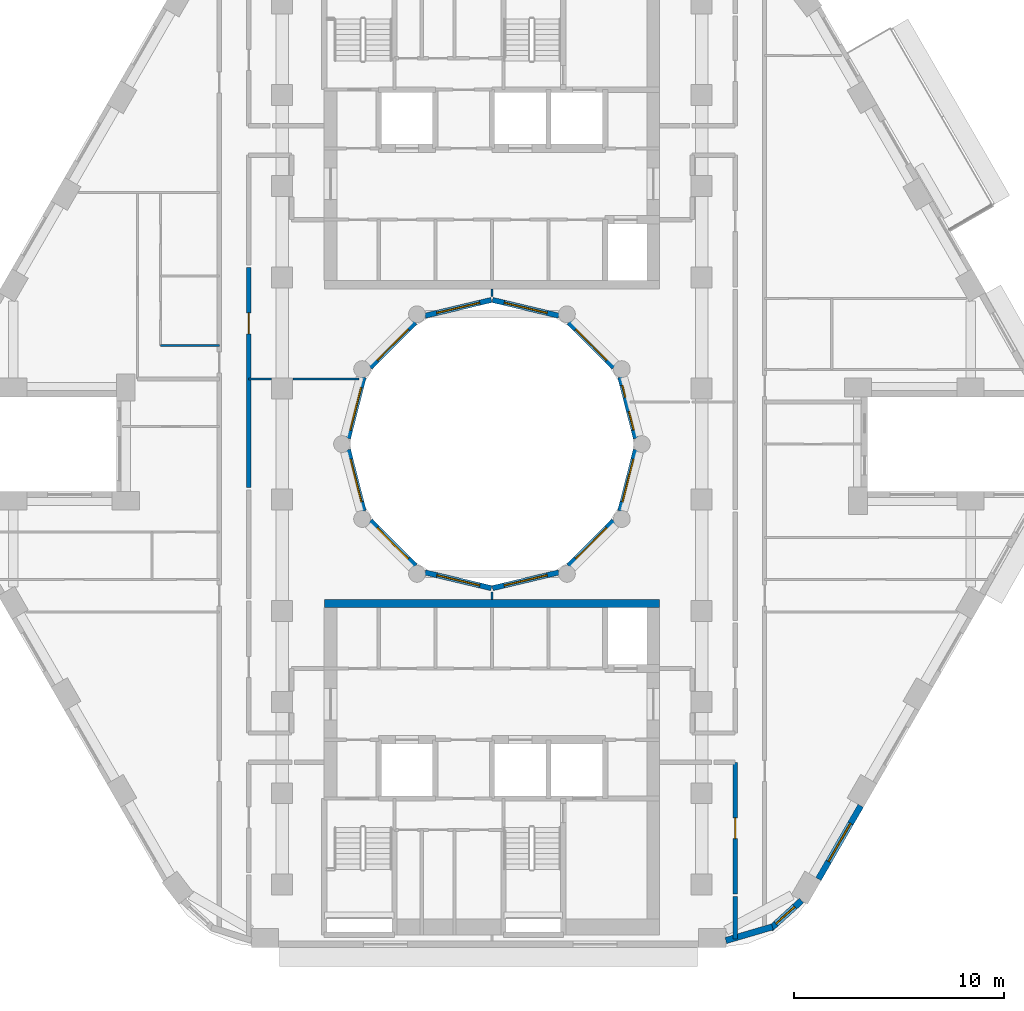
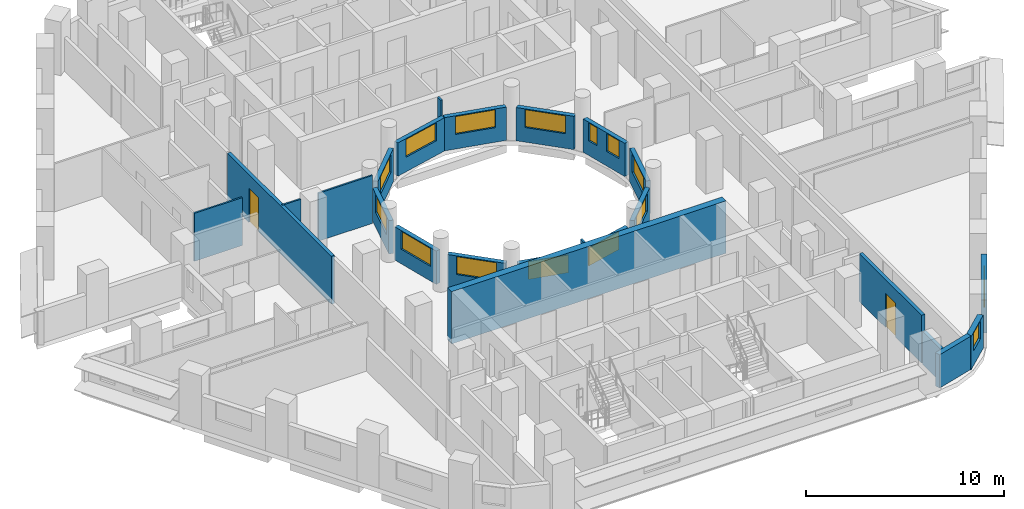
# One storey, part 5 of 14: 24 walls, 15 windows, 2 doors, 17 openings.
"""IFC4 building model written with IfcOpenShell, lengths in metres."""

from ifc_helpers import new_model, si_unit, direction, frame, frame_2d, origin, place, context, subcontext, project, spatial, rectangle, extrude, material, layer, layer_set, type_object, element, fill, save


model = new_model("IFC4")

# Units and contexts
model_context = context("Model", 3, precision=1e-05, world=origin(), true_north=direction((0.0, 1.0)))
body_context = subcontext(model_context, "Body", "Model", "MODEL_VIEW")
ifc_project = project(units=[si_unit("LENGTHUNIT", "METRE"), si_unit("AREAUNIT", "SQUARE_METRE"), si_unit("VOLUMEUNIT", "CUBIC_METRE"), si_unit("PLANEANGLEUNIT", "RADIAN"), si_unit("MASSUNIT", "GRAM", prefix="KILO")], contexts=[model_context])

# Site, building, storey
site_placement = place(None, origin())
site = spatial("IfcSite", under=ifc_project, at=site_placement, CompositionType="ELEMENT")
building_placement = place(site_placement, origin())
building = spatial("IfcBuilding", under=site, at=building_placement, Name="Nakaniwa Court", CompositionType="ELEMENT")
storey_placement = place(building_placement, frame((0.0, 0.0, 166.800048828125)))
storey = spatial("IfcBuildingStorey", under=building, at=storey_placement, Name="L44", CompositionType="ELEMENT", Elevation=166.800048828125)

# Wall
ifc_material_1 = material(Name="Acoustic double stud partition")
ifc_layer_1 = layer(ifc_material_1, 0.199951171875)
ifc_layer_set_1 = layer_set([ifc_layer_1], Name="Acoustic double stud partition")
wall_type_1 = type_object("IfcWallType", Name="Acoustic double stud partition 200", PredefinedType="PARTITIONING", material=ifc_layer_set_1)
wall_1_placement = place(storey_placement, frame((91.60009765625, 56.40087890625, 0.0), z_axis=(0.0, 0.0, 1.0), x_axis=(0.0, 1.0, 0.0)))
element("IfcWall", 1, at=wall_1_placement, inside=storey, type_object=wall_type_1, Name="Partition PW-073", PredefinedType="PARTITIONING", context=body_context, shape_type="SweptSolid", body=[
    extrude(rectangle(XDim=2.02197265625, YDim=0.199951171875, at=frame_2d((1.010986328125, 0.0))), origin(), (0.0, 0.0, 1.0), 2.030029296875),
])

# Wall, opening, door
wall_2_placement = place(storey_placement, frame((91.60009765625, 58.537109375, 0.0), z_axis=(0.0, 0.0, 1.0), x_axis=(0.0, 1.0, 0.0)))
wall_2 = element("IfcWall", 2, at=wall_2_placement, inside=storey, type_object=wall_type_1, Name="Partition PW-074", PredefinedType="PARTITIONING", context=body_context, shape_type="SweptSolid", body=[
    extrude(rectangle(XDim=6.287841796875, YDim=0.199951171875, at=frame_2d((3.14404296875, 0.0))), origin(), (0.0, 0.0, 1.0), 2.949951171875),
])
opening_1_placement = place(wall_2_placement, frame((2.64501953125, 0.0, 0.0)))
opening_1 = element("IfcOpeningElement", 3, at=opening_1_placement, cuts=wall_2, Name="Opening D-02-01", PredefinedType="OPENING", context=body_context, shape_type="SweptSolid", body=[
    extrude(rectangle(XDim=1.0, YDim=2.10009765625, at=frame_2d((0.5, 1.050048828125))), frame((0.0, 0.10986328125, 0.0), z_axis=(0.0, -1.0, 0.0), x_axis=(1.0, 0.0, 0.0)), (0.0, 0.0, 1.0), 0.219970703125),
])
ifc_material_2 = material(Name="Solid core timber door set, black veneer", Category="wood")
door_type = type_object("IfcDoorType", Name="Internal door 1000", OperationType="NOTDEFINED", PredefinedType="DOOR", material=ifc_material_2)
door_1_placement = place(opening_1_placement, origin())
door_1 = element("IfcDoor", 4, at=door_1_placement, inside=storey, type_object=door_type, Name="Door D-02-01 L44-029", OperationType="SINGLE_SWING_RIGHT", OverallHeight=2.10009765625, OverallWidth=1.0, PredefinedType="DOOR", context=body_context, shape_type="SweptSolid", body=[
    extrude(rectangle(XDim=1.0, YDim=2.10009765625, at=frame_2d((0.5, 1.050048828125))), frame((0.0, 0.02490234375, 0.0), z_axis=(0.0, -1.0, 0.0), x_axis=(1.0, 0.0, 0.0)), (0.0, 0.0, 1.0), 0.050048828125),
])
fill(opening_1, door_1)

wall_3_placement = place(storey_placement, frame((68.39990234375, 88.412841796875, 0.0), z_axis=(0.0, 0.0, 1.0), x_axis=(0.0, -1.0, 0.0)))
wall_3 = element("IfcWall", 5, at=wall_3_placement, inside=storey, type_object=wall_type_1, Name="Partition PW-106", PredefinedType="PARTITIONING", context=body_context, shape_type="SweptSolid", body=[
    extrude(rectangle(XDim=10.485595703125, YDim=0.199951171875, at=frame_2d((5.24267578125, 0.0))), origin(), (0.0, 0.0, 1.0), 2.949951171875),
])
opening_2_placement = place(wall_3_placement, frame((2.157958984375, 0.0, 0.0)))
opening_2 = element("IfcOpeningElement", 6, at=opening_2_placement, cuts=wall_3, Name="Opening D-02-05", PredefinedType="OPENING", context=body_context, shape_type="SweptSolid", body=[
    extrude(rectangle(XDim=1.0, YDim=2.10009765625, at=frame_2d((0.5, 1.050048828125))), frame((0.0, 0.10986328125, 0.0), z_axis=(0.0, -1.0, 0.0), x_axis=(1.0, 0.0, 0.0)), (0.0, 0.0, 1.0), 0.219970703125),
])
door_2_placement = place(opening_2_placement, origin())
door_2 = element("IfcDoor", 7, at=door_2_placement, inside=storey, type_object=door_type, Name="Door D-02-05 L44-053", OperationType="SINGLE_SWING_RIGHT", OverallHeight=2.10009765625, OverallWidth=1.0, PredefinedType="DOOR", context=body_context, shape_type="SweptSolid", body=[
    extrude(rectangle(XDim=1.0, YDim=2.10009765625, at=frame_2d((0.5, 1.050048828125))), frame((0.0, 0.02490234375, 0.0), z_axis=(0.0, -1.0, 0.0), x_axis=(1.0, 0.0, 0.0)), (0.0, 0.0, 1.0), 0.050048828125),
])
fill(opening_2, door_2)

# Wall
ifc_material_3 = material(Name="Charcoal ceramic cladding")
ifc_layer_2 = layer(ifc_material_3, 0.02, Name="Ceramic cladding")
ifc_material_4 = material(Name="Ventilated air cavity")
ifc_layer_3 = layer(ifc_material_4, 0.04, ventilated=True, Name="Ventilated cavity")
ifc_material_5 = material(Name="Mineral wool insulation")
ifc_layer_4 = layer(ifc_material_5, 0.1, Name="Insulation")
ifc_material_6 = material(Name="Cement bonded sheathing board")
ifc_layer_5 = layer(ifc_material_6, 0.012, Name="Sheathing")
ifc_material_7 = material(Name="Cold-formed galvanised stud frame with mineral wool infill")
ifc_layer_6 = layer(ifc_material_7, 0.1, Name="Stud frame")
ifc_material_8 = material(Name="Fire-rated gypsum plasterboard lining")
ifc_layer_7 = layer(ifc_material_8, 0.028, Name="Lining")
ifc_layer_set_2 = layer_set([ifc_layer_2, ifc_layer_3, ifc_layer_4, ifc_layer_5, ifc_layer_6, ifc_layer_7], Name="Charcoal ceramic faced external wall system")
wall_type_2 = type_object("IfcWallType", Name="Black ceramic faced external wall 300", PredefinedType="SOLIDWALL", material=ifc_layer_set_2)
wall_4_placement = place(storey_placement, frame((91.1533203125, 56.328125, 0.0), z_axis=(0.0, 0.0, 1.0), x_axis=(0.959473072336, 0.281800325517, 0.0)))
element("IfcWall", 8, at=wall_4_placement, inside=storey, type_object=wall_type_2, Name="L44 external wall 27", PredefinedType="SOLIDWALL", context=body_context, shape_type="SweptSolid", body=[
    extrude(rectangle(XDim=2.3115234375, YDim=0.300048828125, at=frame_2d((1.15576171875, 0.0))), origin(), (0.0, 0.0, 1.0), 2.050048828125),
])

# Wall, opening, window
wall_5_placement = place(storey_placement, frame((93.2783203125, 56.890380859375, 0.0), z_axis=(0.0, 0.0, 1.0), x_axis=(0.740652597499, 0.671888182526, 0.0)))
wall_5 = element("IfcWall", 9, at=wall_5_placement, inside=storey, type_object=wall_type_2, Name="L44 external wall 28", PredefinedType="SOLIDWALL", context=body_context, shape_type="SweptSolid", body=[
    extrude(rectangle(XDim=1.998779296875, YDim=0.300048828125, at=frame_2d((0.99951171875, 0.0))), origin(), (0.0, 0.0, 1.0), 2.050048828125),
])
opening_3_placement = place(wall_5_placement, frame((0.359619140625, 0.0, 0.89990234375)))
opening_3 = element("IfcOpeningElement", 10, at=opening_3_placement, cuts=wall_5, Name="Opening W6.25", PredefinedType="OPENING", context=body_context, shape_type="SweptSolid", body=[
    extrude(rectangle(XDim=1.199951171875, YDim=1.10009765625, at=frame_2d((0.60009765625, 0.550048828125))), frame((0.0, 0.159912109375, 0.0), z_axis=(0.0, -1.0, 0.0), x_axis=(1.0, 0.0, 0.0)), (0.0, 0.0, 1.0), 0.320068359375),
])
ifc_material_9 = material(Name="Black anodised aluminium frame with dark low-E laminated double glazing", Category="aluminium")
window_type_1 = type_object("IfcWindowType", Name="Dark glass window 1200x1100 sill 900", PartitioningType="SINGLE_PANEL", PredefinedType="WINDOW", material=ifc_material_9)
window_1_placement = place(opening_3_placement, origin())
window_1 = element("IfcWindow", 11, at=window_1_placement, inside=storey, type_object=window_type_1, Name="L44 habitable room window 28-0", OverallHeight=1.10009765625, OverallWidth=1.199951171875, PartitioningType="SINGLE_PANEL", PredefinedType="WINDOW", context=body_context, shape_type="SweptSolid", body=[
    extrude(rectangle(XDim=1.199951171875, YDim=1.10009765625, at=frame_2d((0.60009765625, 0.550048828125))), frame((0.0, 0.030029296875, 0.0), z_axis=(0.0, -1.0, 0.0), x_axis=(1.0, 0.0, 0.0)), (0.0, 0.0, 1.0), 0.06005859375),
])
fill(opening_3, window_1)

wall_6_placement = place(storey_placement, frame((95.565185546875, 59.260009765625, 0.0), z_axis=(0.0, 0.0, 1.0), x_axis=(0.500031546601, 0.86600718958, 0.0)))
wall_6 = element("IfcWall", 12, at=wall_6_placement, inside=storey, type_object=wall_type_2, Name="L44 external wall 29", PredefinedType="SOLIDWALL", context=body_context, shape_type="SweptSolid", body=[
    extrude(rectangle(XDim=4.033935546875, YDim=0.300048828125, at=frame_2d((2.01708984375, 0.0))), origin(), (0.0, 0.0, 1.0), 2.050048828125),
])
opening_4_placement = place(wall_6_placement, frame((0.967041015625, 0.0, 0.89990234375)))
opening_4 = element("IfcOpeningElement", 13, at=opening_4_placement, cuts=wall_6, Name="Opening W7.26", PredefinedType="OPENING", context=body_context, shape_type="SweptSolid", body=[
    extrude(rectangle(XDim=2.10009765625, YDim=1.10009765625, at=frame_2d((1.050048828125, 0.550048828125))), frame((0.0, 0.159912109375, 0.0), z_axis=(0.0, -1.0, 0.0), x_axis=(1.0, 0.0, 0.0)), (0.0, 0.0, 1.0), 0.320068359375),
])
window_type_2 = type_object("IfcWindowType", Name="Dark glass window 2100x1100 sill 900", PartitioningType="SINGLE_PANEL", PredefinedType="WINDOW", material=ifc_material_9)
window_2_placement = place(opening_4_placement, origin())
window_2 = element("IfcWindow", 14, at=window_2_placement, inside=storey, type_object=window_type_2, Name="L44 habitable room window 29-0", OverallHeight=1.10009765625, OverallWidth=2.10009765625, PartitioningType="SINGLE_PANEL", PredefinedType="WINDOW", context=body_context, shape_type="SweptSolid", body=[
    extrude(rectangle(XDim=2.10009765625, YDim=1.10009765625, at=frame_2d((1.050048828125, 0.550048828125))), frame((0.0, 0.030029296875, 0.0), z_axis=(0.0, -1.0, 0.0), x_axis=(1.0, 0.0, 0.0)), (0.0, 0.0, 1.0), 0.06005859375),
])
fill(opening_4, window_2)

ifc_layer_8 = layer(ifc_material_3, 0.02, Name="Ceramic cladding")
ifc_layer_9 = layer(ifc_material_4, 0.04, ventilated=True, Name="Ventilated cavity")
ifc_layer_10 = layer(ifc_material_5, 0.075, Name="Insulation")
ifc_layer_11 = layer(ifc_material_6, 0.012, Name="Sheathing")
ifc_layer_12 = layer(ifc_material_7, 0.075, Name="Stud frame")
ifc_layer_13 = layer(ifc_material_8, 0.028, Name="Lining")
ifc_layer_set_3 = layer_set([ifc_layer_8, ifc_layer_9, ifc_layer_10, ifc_layer_11, ifc_layer_12, ifc_layer_13], Name="Charcoal ceramic faced external wall system")
wall_type_3 = type_object("IfcWallType", Name="Charcoal ceramic faced well wall 250", PredefinedType="SOLIDWALL", material=ifc_layer_set_3)
wall_7_placement = place(storey_placement, frame((86.8603515625, 79.72998046875, 0.0), z_axis=(0.0, 0.0, 1.0), x_axis=(-0.247055971283, -0.969001211069, 0.0)))
wall_7 = element("IfcWall", 15, at=wall_7_placement, inside=storey, type_object=wall_type_3, Name="L44 external wall 36", PredefinedType="SOLIDWALL", context=body_context, shape_type="SweptSolid", body=[
    extrude(rectangle(XDim=3.010009765625, YDim=0.25, at=frame_2d((1.5048828125, 0.0))), origin(), (0.0, 0.0, 1.0), 2.050048828125),
])
opening_5_placement = place(wall_7_placement, frame((0.46875, 0.0, 0.89990234375)))
opening_5 = element("IfcOpeningElement", 16, at=opening_5_placement, cuts=wall_7, Name="Opening W7.35", PredefinedType="OPENING", context=body_context, shape_type="SweptSolid", body=[
    extrude(rectangle(XDim=2.10009765625, YDim=1.10009765625, at=frame_2d((1.050048828125, 0.550048828125))), frame((0.0, 0.135009765625, 0.0), z_axis=(0.0, -1.0, 0.0), x_axis=(1.0, 0.0, 0.0)), (0.0, 0.0, 1.0), 0.27001953125),
])
window_3_placement = place(opening_5_placement, origin())
window_3 = element("IfcWindow", 17, at=window_3_placement, inside=storey, type_object=window_type_2, Name="L44 habitable room window 36-0", OverallHeight=1.10009765625, OverallWidth=2.10009765625, PartitioningType="SINGLE_PANEL", PredefinedType="WINDOW", context=body_context, shape_type="SweptSolid", body=[
    extrude(rectangle(XDim=2.10009765625, YDim=1.10009765625, at=frame_2d((1.050048828125, 0.550048828125))), frame((0.0, 0.030029296875, 0.0), z_axis=(0.0, -1.0, 0.0), x_axis=(1.0, 0.0, 0.0)), (0.0, 0.0, 1.0), 0.06005859375),
])
fill(opening_5, window_3)

wall_8_placement = place(storey_placement, frame((85.8056640625, 76.339111328125, 0.0), z_axis=(0.0, 0.0, 1.0), x_axis=(-0.707106781187, -0.707106781187, 0.0)))
wall_8 = element("IfcWall", 18, at=wall_8_placement, inside=storey, type_object=wall_type_3, Name="L44 external wall 37", PredefinedType="SOLIDWALL", context=body_context, shape_type="SweptSolid", body=[
    extrude(rectangle(XDim=3.033203125, YDim=0.25, at=frame_2d((1.5166015625, 0.0))), origin(), (0.0, 0.0, 1.0), 2.050048828125),
])
opening_6_placement = place(wall_8_placement, frame((0.466552734375, 0.0, 0.89990234375)))
opening_6 = element("IfcOpeningElement", 19, at=opening_6_placement, cuts=wall_8, Name="Opening W7.36", PredefinedType="OPENING", context=body_context, shape_type="SweptSolid", body=[
    extrude(rectangle(XDim=2.10009765625, YDim=1.10009765625, at=frame_2d((1.050048828125, 0.550048828125))), frame((0.0, 0.135009765625, 0.0), z_axis=(0.0, -1.0, 0.0), x_axis=(1.0, 0.0, 0.0)), (0.0, 0.0, 1.0), 0.27001953125),
])
window_4_placement = place(opening_6_placement, origin())
window_4 = element("IfcWindow", 20, at=window_4_placement, inside=storey, type_object=window_type_2, Name="L44 habitable room window 37-0", OverallHeight=1.10009765625, OverallWidth=2.10009765625, PartitioningType="SINGLE_PANEL", PredefinedType="WINDOW", context=body_context, shape_type="SweptSolid", body=[
    extrude(rectangle(XDim=2.10009765625, YDim=1.10009765625, at=frame_2d((1.050048828125, 0.550048828125))), frame((0.0, 0.030029296875, 0.0), z_axis=(0.0, -1.0, 0.0), x_axis=(1.0, 0.0, 0.0)), (0.0, 0.0, 1.0), 0.06005859375),
])
fill(opening_6, window_4)

wall_9_placement = place(storey_placement, frame((83.186279296875, 73.880615234375, 0.0), z_axis=(0.0, 0.0, 1.0), x_axis=(-0.972773113459, -0.231759508395, 0.0)))
wall_9 = element("IfcWall", 21, at=wall_9_placement, inside=storey, type_object=wall_type_3, Name="L44 external wall 38", PredefinedType="SOLIDWALL", context=body_context, shape_type="SweptSolid", body=[
    extrude(rectangle(XDim=3.24560546875, YDim=0.25, at=frame_2d((1.622802734375, 0.0))), origin(), (0.0, 0.0, 1.0), 2.050048828125),
])
opening_7_placement = place(wall_9_placement, frame((0.57275390625, 0.0, 0.89990234375)))
opening_7 = element("IfcOpeningElement", 22, at=opening_7_placement, cuts=wall_9, Name="Opening W7.37", PredefinedType="OPENING", context=body_context, shape_type="SweptSolid", body=[
    extrude(rectangle(XDim=2.10009765625, YDim=1.10009765625, at=frame_2d((1.050048828125, 0.550048828125))), frame((0.0, 0.135009765625, 0.0), z_axis=(0.0, -1.0, 0.0), x_axis=(1.0, 0.0, 0.0)), (0.0, 0.0, 1.0), 0.27001953125),
])
window_5_placement = place(opening_7_placement, origin())
window_5 = element("IfcWindow", 23, at=window_5_placement, inside=storey, type_object=window_type_2, Name="L44 habitable room window 38-0", OverallHeight=1.10009765625, OverallWidth=2.10009765625, PartitioningType="SINGLE_PANEL", PredefinedType="WINDOW", context=body_context, shape_type="SweptSolid", body=[
    extrude(rectangle(XDim=2.10009765625, YDim=1.10009765625, at=frame_2d((1.050048828125, 0.550048828125))), frame((0.0, 0.030029296875, 0.0), z_axis=(0.0, -1.0, 0.0), x_axis=(1.0, 0.0, 0.0)), (0.0, 0.0, 1.0), 0.06005859375),
])
fill(opening_7, window_5)

wall_10_placement = place(storey_placement, frame((79.970947265625, 73.12841796875, 0.0), z_axis=(0.0, 0.0, 1.0), x_axis=(-0.972773113459, 0.231759508395, 0.0)))
wall_10 = element("IfcWall", 24, at=wall_10_placement, inside=storey, type_object=wall_type_3, Name="L44 external wall 39", PredefinedType="SOLIDWALL", context=body_context, shape_type="SweptSolid", body=[
    extrude(rectangle(XDim=3.24560546875, YDim=0.25, at=frame_2d((1.622802734375, 0.0))), origin(), (0.0, 0.0, 1.0), 2.050048828125),
])
opening_8_placement = place(wall_10_placement, frame((0.57275390625, 0.0, 0.89990234375)))
opening_8 = element("IfcOpeningElement", 25, at=opening_8_placement, cuts=wall_10, Name="Opening W7.38", PredefinedType="OPENING", context=body_context, shape_type="SweptSolid", body=[
    extrude(rectangle(XDim=2.10009765625, YDim=1.10009765625, at=frame_2d((1.050048828125, 0.550048828125))), frame((0.0, 0.135009765625, 0.0), z_axis=(0.0, -1.0, 0.0), x_axis=(1.0, 0.0, 0.0)), (0.0, 0.0, 1.0), 0.27001953125),
])
window_6_placement = place(opening_8_placement, origin())
window_6 = element("IfcWindow", 26, at=window_6_placement, inside=storey, type_object=window_type_2, Name="L44 habitable room window 39-0", OverallHeight=1.10009765625, OverallWidth=2.10009765625, PartitioningType="SINGLE_PANEL", PredefinedType="WINDOW", context=body_context, shape_type="SweptSolid", body=[
    extrude(rectangle(XDim=2.10009765625, YDim=1.10009765625, at=frame_2d((1.050048828125, 0.550048828125))), frame((0.0, 0.030029296875, 0.0), z_axis=(0.0, -1.0, 0.0), x_axis=(1.0, 0.0, 0.0)), (0.0, 0.0, 1.0), 0.06005859375),
])
fill(opening_8, window_6)

wall_11_placement = place(storey_placement, frame((76.339111328125, 74.1943359375, 0.0), z_axis=(0.0, 0.0, 1.0), x_axis=(-0.707106781187, 0.707106781187, 0.0)))
wall_11 = element("IfcWall", 27, at=wall_11_placement, inside=storey, type_object=wall_type_3, Name="L44 external wall 40", PredefinedType="SOLIDWALL", context=body_context, shape_type="SweptSolid", body=[
    extrude(rectangle(XDim=3.033203125, YDim=0.25, at=frame_2d((1.5166015625, 0.0))), origin(), (0.0, 0.0, 1.0), 2.050048828125),
])
opening_9_placement = place(wall_11_placement, frame((0.466552734375, 0.0, 0.89990234375)))
opening_9 = element("IfcOpeningElement", 28, at=opening_9_placement, cuts=wall_11, Name="Opening W7.39", PredefinedType="OPENING", context=body_context, shape_type="SweptSolid", body=[
    extrude(rectangle(XDim=2.10009765625, YDim=1.10009765625, at=frame_2d((1.050048828125, 0.550048828125))), frame((0.0, 0.135009765625, 0.0), z_axis=(0.0, -1.0, 0.0), x_axis=(1.0, 0.0, 0.0)), (0.0, 0.0, 1.0), 0.27001953125),
])
window_7_placement = place(opening_9_placement, origin())
window_7 = element("IfcWindow", 29, at=window_7_placement, inside=storey, type_object=window_type_2, Name="L44 habitable room window 40-0", OverallHeight=1.10009765625, OverallWidth=2.10009765625, PartitioningType="SINGLE_PANEL", PredefinedType="WINDOW", context=body_context, shape_type="SweptSolid", body=[
    extrude(rectangle(XDim=2.10009765625, YDim=1.10009765625, at=frame_2d((1.050048828125, 0.550048828125))), frame((0.0, 0.030029296875, 0.0), z_axis=(0.0, -1.0, 0.0), x_axis=(1.0, 0.0, 0.0)), (0.0, 0.0, 1.0), 0.06005859375),
])
fill(opening_9, window_7)

wall_12_placement = place(storey_placement, frame((73.88330078125, 76.813232421875, 0.0), z_axis=(0.0, 0.0, 1.0), x_axis=(-0.247055971283, 0.969001211069, 0.0)))
wall_12 = element("IfcWall", 30, at=wall_12_placement, inside=storey, type_object=wall_type_3, Name="L44 external wall 41", PredefinedType="SOLIDWALL", context=body_context, shape_type="SweptSolid", body=[
    extrude(rectangle(XDim=3.010009765625, YDim=0.25, at=frame_2d((1.5048828125, 0.0))), origin(), (0.0, 0.0, 1.0), 2.050048828125),
])
opening_10_placement = place(wall_12_placement, frame((0.441162109375, 0.0, 0.89990234375)))
opening_10 = element("IfcOpeningElement", 31, at=opening_10_placement, cuts=wall_12, Name="Opening W7.40", PredefinedType="OPENING", context=body_context, shape_type="SweptSolid", body=[
    extrude(rectangle(XDim=2.10009765625, YDim=1.10009765625, at=frame_2d((1.050048828125, 0.550048828125))), frame((0.0, 0.135009765625, 0.0), z_axis=(0.0, -1.0, 0.0), x_axis=(1.0, 0.0, 0.0)), (0.0, 0.0, 1.0), 0.27001953125),
])
window_8_placement = place(opening_10_placement, origin())
window_8 = element("IfcWindow", 32, at=window_8_placement, inside=storey, type_object=window_type_2, Name="L44 habitable room window 41-0", OverallHeight=1.10009765625, OverallWidth=2.10009765625, PartitioningType="SINGLE_PANEL", PredefinedType="WINDOW", context=body_context, shape_type="SweptSolid", body=[
    extrude(rectangle(XDim=2.10009765625, YDim=1.10009765625, at=frame_2d((1.050048828125, 0.550048828125))), frame((0.0, 0.030029296875, 0.0), z_axis=(0.0, -1.0, 0.0), x_axis=(1.0, 0.0, 0.0)), (0.0, 0.0, 1.0), 0.06005859375),
])
fill(opening_10, window_8)

wall_13_placement = place(storey_placement, frame((73.1396484375, 80.27001953125, 0.0), z_axis=(0.0, 0.0, 1.0), x_axis=(0.247055971283, 0.969001211069, 0.0)))
wall_13 = element("IfcWall", 33, at=wall_13_placement, inside=storey, type_object=wall_type_3, Name="L44 external wall 42", PredefinedType="SOLIDWALL", context=body_context, shape_type="SweptSolid", body=[
    extrude(rectangle(XDim=3.010009765625, YDim=0.25, at=frame_2d((1.5048828125, 0.0))), origin(), (0.0, 0.0, 1.0), 2.050048828125),
])
opening_11_placement = place(wall_13_placement, frame((0.400634765625, 0.0, 0.89990234375)))
opening_11 = element("IfcOpeningElement", 34, at=opening_11_placement, cuts=wall_13, Name="Opening W7.41", PredefinedType="OPENING", context=body_context, shape_type="SweptSolid", body=[
    extrude(rectangle(XDim=2.10009765625, YDim=1.10009765625, at=frame_2d((1.050048828125, 0.550048828125))), frame((0.0, 0.135009765625, 0.0), z_axis=(0.0, -1.0, 0.0), x_axis=(1.0, 0.0, 0.0)), (0.0, 0.0, 1.0), 0.27001953125),
])
window_9_placement = place(opening_11_placement, origin())
window_9 = element("IfcWindow", 35, at=window_9_placement, inside=storey, type_object=window_type_2, Name="L44 habitable room window 42-0", OverallHeight=1.10009765625, OverallWidth=2.10009765625, PartitioningType="SINGLE_PANEL", PredefinedType="WINDOW", context=body_context, shape_type="SweptSolid", body=[
    extrude(rectangle(XDim=2.10009765625, YDim=1.10009765625, at=frame_2d((1.050048828125, 0.550048828125))), frame((0.0, 0.030029296875, 0.0), z_axis=(0.0, -1.0, 0.0), x_axis=(1.0, 0.0, 0.0)), (0.0, 0.0, 1.0), 0.06005859375),
])
fill(opening_11, window_9)

wall_14_placement = place(storey_placement, frame((74.1943359375, 83.660888671875, 0.0), z_axis=(0.0, 0.0, 1.0), x_axis=(0.707106781187, 0.707106781187, 0.0)))
wall_14 = element("IfcWall", 36, at=wall_14_placement, inside=storey, type_object=wall_type_3, Name="L44 external wall 43", PredefinedType="SOLIDWALL", context=body_context, shape_type="SweptSolid", body=[
    extrude(rectangle(XDim=3.033203125, YDim=0.25, at=frame_2d((1.5166015625, 0.0))), origin(), (0.0, 0.0, 1.0), 2.050048828125),
])
opening_12_placement = place(wall_14_placement, frame((0.466552734375, 0.0, 0.89990234375)))
opening_12 = element("IfcOpeningElement", 37, at=opening_12_placement, cuts=wall_14, Name="Opening W7.42", PredefinedType="OPENING", context=body_context, shape_type="SweptSolid", body=[
    extrude(rectangle(XDim=2.10009765625, YDim=1.10009765625, at=frame_2d((1.050048828125, 0.550048828125))), frame((0.0, 0.135009765625, 0.0), z_axis=(0.0, -1.0, 0.0), x_axis=(1.0, 0.0, 0.0)), (0.0, 0.0, 1.0), 0.27001953125),
])
window_10_placement = place(opening_12_placement, origin())
window_10 = element("IfcWindow", 38, at=window_10_placement, inside=storey, type_object=window_type_2, Name="L44 habitable room window 43-0", OverallHeight=1.10009765625, OverallWidth=2.10009765625, PartitioningType="SINGLE_PANEL", PredefinedType="WINDOW", context=body_context, shape_type="SweptSolid", body=[
    extrude(rectangle(XDim=2.10009765625, YDim=1.10009765625, at=frame_2d((1.050048828125, 0.550048828125))), frame((0.0, 0.030029296875, 0.0), z_axis=(0.0, -1.0, 0.0), x_axis=(1.0, 0.0, 0.0)), (0.0, 0.0, 1.0), 0.06005859375),
])
fill(opening_12, window_10)

wall_15_placement = place(storey_placement, frame((76.813720703125, 86.119384765625, 0.0), z_axis=(0.0, 0.0, 1.0), x_axis=(0.972773113459, 0.231759508395, 0.0)))
wall_15 = element("IfcWall", 39, at=wall_15_placement, inside=storey, type_object=wall_type_3, Name="L44 external wall 44", PredefinedType="SOLIDWALL", context=body_context, shape_type="SweptSolid", body=[
    extrude(rectangle(XDim=3.24560546875, YDim=0.25, at=frame_2d((1.622802734375, 0.0))), origin(), (0.0, 0.0, 1.0), 2.050048828125),
])
opening_13_placement = place(wall_15_placement, frame((0.57275390625, 0.0, 0.89990234375)))
opening_13 = element("IfcOpeningElement", 40, at=opening_13_placement, cuts=wall_15, Name="Opening W7.43", PredefinedType="OPENING", context=body_context, shape_type="SweptSolid", body=[
    extrude(rectangle(XDim=2.10009765625, YDim=1.10009765625, at=frame_2d((1.050048828125, 0.550048828125))), frame((0.0, 0.135009765625, 0.0), z_axis=(0.0, -1.0, 0.0), x_axis=(1.0, 0.0, 0.0)), (0.0, 0.0, 1.0), 0.27001953125),
])
window_11_placement = place(opening_13_placement, origin())
window_11 = element("IfcWindow", 41, at=window_11_placement, inside=storey, type_object=window_type_2, Name="L44 habitable room window 44-0", OverallHeight=1.10009765625, OverallWidth=2.10009765625, PartitioningType="SINGLE_PANEL", PredefinedType="WINDOW", context=body_context, shape_type="SweptSolid", body=[
    extrude(rectangle(XDim=2.10009765625, YDim=1.10009765625, at=frame_2d((1.050048828125, 0.550048828125))), frame((0.0, 0.030029296875, 0.0), z_axis=(0.0, -1.0, 0.0), x_axis=(1.0, 0.0, 0.0)), (0.0, 0.0, 1.0), 0.06005859375),
])
fill(opening_13, window_11)

wall_16_placement = place(storey_placement, frame((80.029052734375, 86.87158203125, 0.0), z_axis=(0.0, 0.0, 1.0), x_axis=(0.972773113459, -0.231759508395, 0.0)))
wall_16 = element("IfcWall", 42, at=wall_16_placement, inside=storey, type_object=wall_type_3, Name="L44 external wall 45", PredefinedType="SOLIDWALL", context=body_context, shape_type="SweptSolid", body=[
    extrude(rectangle(XDim=3.24560546875, YDim=0.25, at=frame_2d((1.622802734375, 0.0))), origin(), (0.0, 0.0, 1.0), 2.050048828125),
])
opening_14_placement = place(wall_16_placement, frame((0.57275390625, 0.0, 0.89990234375)))
opening_14 = element("IfcOpeningElement", 43, at=opening_14_placement, cuts=wall_16, Name="Opening W7.44", PredefinedType="OPENING", context=body_context, shape_type="SweptSolid", body=[
    extrude(rectangle(XDim=2.10009765625, YDim=1.10009765625, at=frame_2d((1.050048828125, 0.550048828125))), frame((0.0, 0.135009765625, 0.0), z_axis=(0.0, -1.0, 0.0), x_axis=(1.0, 0.0, 0.0)), (0.0, 0.0, 1.0), 0.27001953125),
])
window_12_placement = place(opening_14_placement, origin())
window_12 = element("IfcWindow", 44, at=window_12_placement, inside=storey, type_object=window_type_2, Name="L44 habitable room window 45-0", OverallHeight=1.10009765625, OverallWidth=2.10009765625, PartitioningType="SINGLE_PANEL", PredefinedType="WINDOW", context=body_context, shape_type="SweptSolid", body=[
    extrude(rectangle(XDim=2.10009765625, YDim=1.10009765625, at=frame_2d((1.050048828125, 0.550048828125))), frame((0.0, 0.030029296875, 0.0), z_axis=(0.0, -1.0, 0.0), x_axis=(1.0, 0.0, 0.0)), (0.0, 0.0, 1.0), 0.06005859375),
])
fill(opening_14, window_12)

wall_17_placement = place(storey_placement, frame((83.660888671875, 85.8056640625, 0.0), z_axis=(0.0, 0.0, 1.0), x_axis=(0.707106781187, -0.707106781187, 0.0)))
wall_17 = element("IfcWall", 45, at=wall_17_placement, inside=storey, type_object=wall_type_3, Name="L44 external wall 46", PredefinedType="SOLIDWALL", context=body_context, shape_type="SweptSolid", body=[
    extrude(rectangle(XDim=3.033203125, YDim=0.25, at=frame_2d((1.5166015625, 0.0))), origin(), (0.0, 0.0, 1.0), 2.050048828125),
])
opening_15_placement = place(wall_17_placement, frame((0.466552734375, 0.0, 0.89990234375)))
opening_15 = element("IfcOpeningElement", 46, at=opening_15_placement, cuts=wall_17, Name="Opening W7.45", PredefinedType="OPENING", context=body_context, shape_type="SweptSolid", body=[
    extrude(rectangle(XDim=2.10009765625, YDim=1.10009765625, at=frame_2d((1.050048828125, 0.550048828125))), frame((0.0, 0.135009765625, 0.0), z_axis=(0.0, -1.0, 0.0), x_axis=(1.0, 0.0, 0.0)), (0.0, 0.0, 1.0), 0.27001953125),
])
window_13_placement = place(opening_15_placement, origin())
window_13 = element("IfcWindow", 47, at=window_13_placement, inside=storey, type_object=window_type_2, Name="L44 habitable room window 46-0", OverallHeight=1.10009765625, OverallWidth=2.10009765625, PartitioningType="SINGLE_PANEL", PredefinedType="WINDOW", context=body_context, shape_type="SweptSolid", body=[
    extrude(rectangle(XDim=2.10009765625, YDim=1.10009765625, at=frame_2d((1.050048828125, 0.550048828125))), frame((0.0, 0.030029296875, 0.0), z_axis=(0.0, -1.0, 0.0), x_axis=(1.0, 0.0, 0.0)), (0.0, 0.0, 1.0), 0.06005859375),
])
fill(opening_15, window_13)

# Wall, openings, windows
wall_18_placement = place(storey_placement, frame((86.11669921875, 83.186767578125, 0.0), z_axis=(0.0, 0.0, 1.0), x_axis=(0.247055971283, -0.969001211069, 0.0)))
wall_18 = element("IfcWall", 48, at=wall_18_placement, inside=storey, type_object=wall_type_3, Name="L44 external wall 47", PredefinedType="SOLIDWALL", context=body_context, shape_type="SweptSolid", body=[
    extrude(rectangle(XDim=3.010009765625, YDim=0.25, at=frame_2d((1.5048828125, 0.0))), origin(), (0.0, 0.0, 1.0), 2.050048828125),
])
opening_16_placement = place(wall_18_placement, frame((0.3916015625, 0.0, 0.89990234375)))
opening_16 = element("IfcOpeningElement", 49, at=opening_16_placement, cuts=wall_18, Name="Opening W8.46", PredefinedType="OPENING", context=body_context, shape_type="SweptSolid", body=[
    extrude(rectangle(XDim=0.60009765625, YDim=1.10009765625, at=frame_2d((0.300048828125, 0.550048828125))), frame((0.0, 0.135009765625, 0.0), z_axis=(0.0, -1.0, 0.0), x_axis=(1.0, 0.0, 0.0)), (0.0, 0.0, 1.0), 0.27001953125),
])
opening_17_placement = place(wall_18_placement, frame((1.69140625, 0.0, 0.89990234375)))
opening_17 = element("IfcOpeningElement", 50, at=opening_17_placement, cuts=wall_18, Name="Opening W9.47", PredefinedType="OPENING", context=body_context, shape_type="SweptSolid", body=[
    extrude(rectangle(XDim=0.89990234375, YDim=1.10009765625, at=frame_2d((0.449951171875, 0.550048828125))), frame((0.0, 0.135009765625, 0.0), z_axis=(0.0, -1.0, 0.0), x_axis=(1.0, 0.0, 0.0)), (0.0, 0.0, 1.0), 0.27001953125),
])
window_type_3 = type_object("IfcWindowType", Name="Dark glass window 600x1100 sill 900", PartitioningType="SINGLE_PANEL", PredefinedType="WINDOW", material=ifc_material_9)
window_14_placement = place(opening_16_placement, origin())
window_14 = element("IfcWindow", 51, at=window_14_placement, inside=storey, type_object=window_type_3, Name="L44 habitable room window 47-0", OverallHeight=1.10009765625, OverallWidth=0.60009765625, PartitioningType="SINGLE_PANEL", PredefinedType="WINDOW", context=body_context, shape_type="SweptSolid", body=[
    extrude(rectangle(XDim=0.60009765625, YDim=1.10009765625, at=frame_2d((0.300048828125, 0.550048828125))), frame((0.0, 0.030029296875, 0.0), z_axis=(0.0, -1.0, 0.0), x_axis=(1.0, 0.0, 0.0)), (0.0, 0.0, 1.0), 0.06005859375),
])
fill(opening_16, window_14)
window_type_4 = type_object("IfcWindowType", Name="Dark glass window 900x1100 sill 900", PartitioningType="SINGLE_PANEL", PredefinedType="WINDOW", material=ifc_material_9)
window_15_placement = place(opening_17_placement, origin())
window_15 = element("IfcWindow", 52, at=window_15_placement, inside=storey, type_object=window_type_4, Name="L44 habitable room window 47-1", OverallHeight=1.10009765625, OverallWidth=0.89990234375, PartitioningType="SINGLE_PANEL", PredefinedType="WINDOW", context=body_context, shape_type="SweptSolid", body=[
    extrude(rectangle(XDim=0.89990234375, YDim=1.10009765625, at=frame_2d((0.449951171875, 0.550048828125))), frame((0.0, 0.030029296875, 0.0), z_axis=(0.0, -1.0, 0.0), x_axis=(1.0, 0.0, 0.0)), (0.0, 0.0, 1.0), 0.06005859375),
])
fill(opening_17, window_15)

# Walls
ifc_material_10 = material(Name="Concrete C80/100", Category="concrete")
ifc_layer_14 = layer(ifc_material_10, 0.39990234375)
ifc_layer_set_4 = layer_set([ifc_layer_14], Name="Concrete C80/100")
wall_type_4 = type_object("IfcWallType", Name="Concrete core well wall 400 C80", PredefinedType="SHEAR", material=ifc_layer_set_4)
wall_19_placement = place(storey_placement, frame((72.00390625, 72.39990234375, -0.275146484375), z_axis=(0.0, 0.0, 1.0), x_axis=(1.0, 0.0, 0.0)))
element("IfcWall", 53, at=wall_19_placement, inside=storey, type_object=wall_type_4, Name="Core wall SW-144", PredefinedType="SHEAR", context=body_context, shape_type="SweptSolid", body=[
    extrude(rectangle(XDim=15.9921875, YDim=0.39990234375, at=frame_2d((7.99609375, 0.0))), origin(), (0.0, 0.0, 1.0), 3.22509765625),
])
ifc_material_11 = material(Name="Single stud plasterboard partition")
ifc_layer_15 = layer(ifc_material_11, 0.10009765625)
ifc_layer_set_5 = layer_set([ifc_layer_15], Name="Single stud plasterboard partition")
wall_type_5 = type_object("IfcWallType", Name="Single stud plasterboard partition 100", PredefinedType="PARTITIONING", material=ifc_layer_set_5)
for number, where, z_axis, x_axis, name in (
    (54, (80.0, 72.60009765625, 0.0), (0.0, 0.0, 1.0), (0.0, 1.0, 0.0), "Partition PW-116"),
    (55, (80.0, 87.048095703125, 0.0), (0.0, 0.0, 1.0), (0.0, 1.0, 0.0), "Partition PW-117"),
):
    element("IfcWall", number, at=place(storey_placement, frame(where, z_axis=z_axis, x_axis=x_axis)), inside=storey, type_object=wall_type_5, Name=name, PredefinedType="PARTITIONING", context=body_context, shape_type="SweptSolid", body=[
        extrude(rectangle(XDim=0.351806640625, YDim=0.10009765625, at=frame_2d((0.17578125, 0.0))), origin(), (0.0, 0.0, 1.0), 2.949951171875),
    ])
wall_20_placement = place(storey_placement, frame((68.40087890625, 83.10009765625, 0.0), z_axis=(0.0, 0.0, 1.0), x_axis=(1.0, 0.0, 0.0)))
element("IfcWall", 56, at=wall_20_placement, inside=storey, type_object=wall_type_5, Name="Partition PW-132", PredefinedType="PARTITIONING", context=body_context, shape_type="SweptSolid", body=[
    extrude(rectangle(XDim=1.0791015625, YDim=0.10009765625, at=frame_2d((0.53955078125, 0.0))), origin(), (0.0, 0.0, 1.0), 2.949951171875),
])
wall_21_placement = place(storey_placement, frame((70.52001953125, 83.10009765625, 0.0), z_axis=(0.0, 0.0, 1.0), x_axis=(1.0, 0.0, 0.0)))
element("IfcWall", 57, at=wall_21_placement, inside=storey, type_object=wall_type_5, Name="Partition PW-133", PredefinedType="PARTITIONING", context=body_context, shape_type="SweptSolid", body=[
    extrude(rectangle(XDim=3.15185546875, YDim=0.10009765625, at=frame_2d((1.575927734375, 0.0))), origin(), (0.0, 0.0, 1.0), 2.949951171875),
])
wall_22_placement = place(storey_placement, frame((64.198974609375, 84.699951171875, 0.0), z_axis=(0.0, 0.0, 1.0), x_axis=(1.0, 0.0, 0.0)))
element("IfcWall", 58, at=wall_22_placement, inside=storey, type_object=wall_type_5, Name="Partition PW-140", PredefinedType="PARTITIONING", context=body_context, shape_type="SweptSolid", body=[
    extrude(rectangle(XDim=2.800048828125, YDim=0.10009765625, at=frame_2d((1.39990234375, 0.0))), origin(), (0.0, 0.0, 1.0), 2.949951171875),
])

save(model, "model.ifc")
